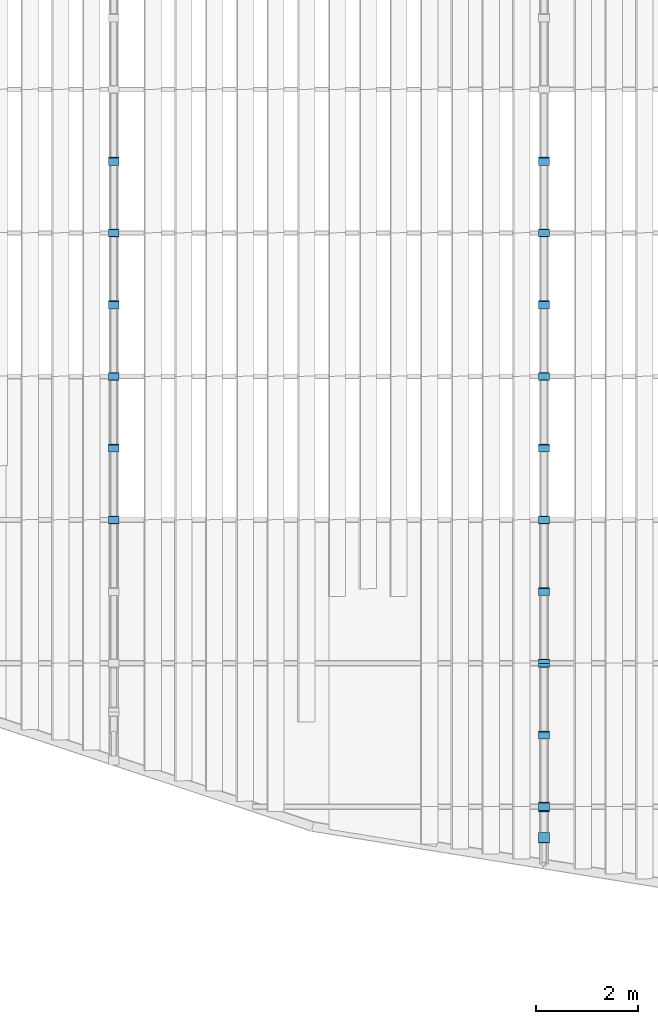
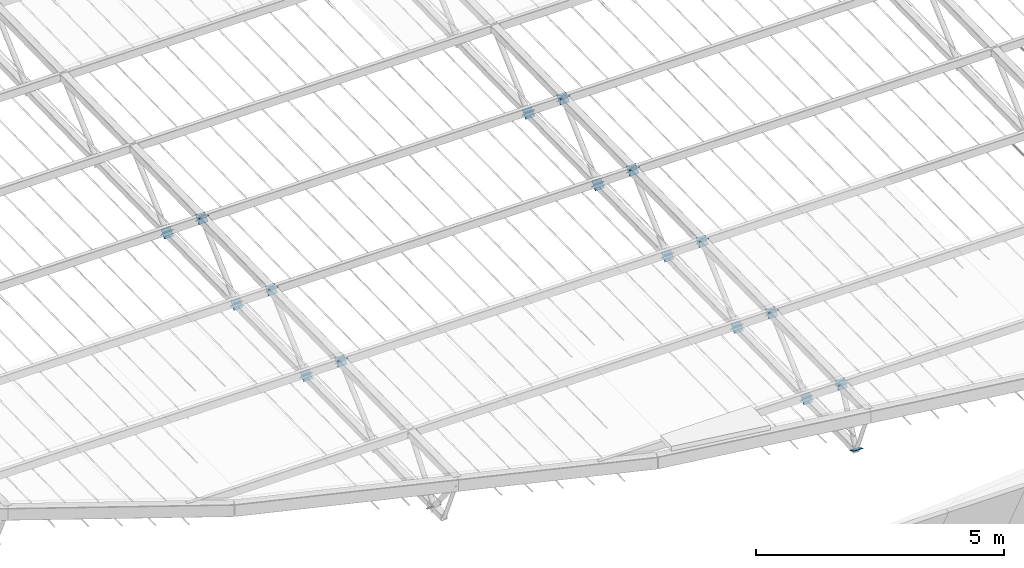
# One storey, part 101 of 129: 33 discrete accessories.
"""IFC4 building model written with IfcOpenShell, lengths in metres."""

import ifcopenshell
import ifcopenshell.guid

model = None  # the IFC model being written
_history = None  # IfcOwnerHistory: only IFC2X3 demands one
_inside = {}  # id of a spatial element -> (the spatial element, [elements in it])
_under = {}  # id of a project, library or spatial element -> (it, [spatial elements below it])
_declared = {}  # id of a project -> (the project, [libraries it declares])
_typed = {}  # id of a type object -> (the type object, [elements of that type])
_made_of = {}  # id of a material, layer set ... -> (it, [elements and type objects made of it])


def new_model(schema):
    """Start an empty IFC model of exactly this schema.

    Asked for "IFC4X3", IfcOpenShell would pick the latest addendum, in which some entities
    have other attributes; the version numbers below select the first issue.
    IFC2X3 requires an IfcOwnerHistory on every rooted entity: one is made here for all.
    """
    global model, _history
    if schema == "IFC4X3":
        model = ifcopenshell.file(schema_version=(4, 3, 0, 0))
    else:
        model = ifcopenshell.file(schema=schema)
    _inside.clear()
    _under.clear()
    _declared.clear()
    _typed.clear()
    _made_of.clear()
    _history = None
    if model.schema == "IFC2X3":
        org = make("IfcOrganization", Name="unknown")
        user = make(
            "IfcPersonAndOrganization",
            ThePerson=make("IfcPerson", FamilyName="unknown"),
            TheOrganization=org,
        )
        app = make(
            "IfcApplication",
            ApplicationDeveloper=org,
            Version="unknown",
            ApplicationFullName="unknown",
            ApplicationIdentifier="unknown",
        )
        _history = make(
            "IfcOwnerHistory",
            OwningUser=user,
            OwningApplication=app,
            ChangeAction="ADDED",
            CreationDate=0,
        )
    return model


def make(cls, **values):
    """One entity of the class cls with the attributes given. An attribute that is None is left unset."""
    return model.create_entity(
        cls, **{name: value for name, value in values.items() if value is not None}
    )


def rooted(cls, **values):
    """An entity with a GlobalId (a new one), such as an element, a storey or a relation."""
    return make(cls, GlobalId=ifcopenshell.guid.new(), OwnerHistory=_history, **values)


def si_unit(unit_type, name, prefix=None):
    """IfcSIUnit, for example si_unit("LENGTHUNIT", "METRE", prefix="MILLI")."""
    return make("IfcSIUnit", UnitType=unit_type, Prefix=prefix, Name=name)


def assignment(units):
    """IfcUnitAssignment: the units of a project."""
    return None if units is None else make("IfcUnitAssignment", Units=units)


def point(xyz):
    """IfcCartesianPoint."""
    return None if xyz is None else make("IfcCartesianPoint", Coordinates=xyz)


def direction(xyz):
    """IfcDirection."""
    return None if xyz is None else make("IfcDirection", DirectionRatios=xyz)


def frame(location, z_axis=None, x_axis=None):
    """IfcAxis2Placement3D, a coordinate frame: its origin and axes. An axis left out is left unset."""
    return make(
        "IfcAxis2Placement3D",
        Location=point(location),
        Axis=direction(z_axis),
        RefDirection=direction(x_axis),
    )


def frame_2d(location, x_axis=None):
    """IfcAxis2Placement2D, a coordinate frame in the plane: its origin and x axis."""
    return make(
        "IfcAxis2Placement2D", Location=point(location), RefDirection=direction(x_axis)
    )


def origin():
    """The frame at (0, 0, 0) with its axes left unset."""
    return frame((0.0, 0.0, 0.0))


def origin_2d():
    """The frame at (0, 0) in the plane with its x axis left unset."""
    return frame_2d((0.0, 0.0))


def place(relative_to, where):
    """IfcLocalPlacement: puts the frame where relative to a parent placement (None: the world)."""
    return make(
        "IfcLocalPlacement", PlacementRelTo=relative_to, RelativePlacement=where
    )


def context(
    kind, dimensions, precision=None, world=None, true_north=None, identifier=None
):
    """IfcGeometricRepresentationContext, for example the 3D "Model" context."""
    return make(
        "IfcGeometricRepresentationContext",
        ContextIdentifier=identifier,
        ContextType=kind,
        CoordinateSpaceDimension=dimensions,
        Precision=precision,
        WorldCoordinateSystem=world,
        TrueNorth=true_north,
    )


def subcontext(parent, identifier, kind, view, scale=None):
    """IfcGeometricRepresentationSubContext, for example "Body" below "Model"."""
    return make(
        "IfcGeometricRepresentationSubContext",
        ContextIdentifier=identifier,
        ContextType=kind,
        ParentContext=parent,
        TargetScale=scale,
        TargetView=view,
    )


def project(units=None, contexts=None):
    """IfcProject with its units and contexts."""
    return rooted(
        "IfcProject",
        Name="project",
        RepresentationContexts=contexts,
        UnitsInContext=assignment(units),
    )


def spatial(cls, under=None, at=None, **own):
    """A site, building, storey or space (cls), placed at a placement, below another one or the project."""
    s = rooted(cls, ObjectPlacement=at, **own)
    if under is not None:
        _under.setdefault(under.id(), (under, []))[1].append(s)
    return s


def profile(cls, at=None, kind="AREA", **sizes):
    """A parametric profile (cls). Its sizes go by their IFC names, for example OverallWidth=200.0."""
    return make(cls, ProfileType=kind, Position=at, **sizes)


def rectangle(**sizes):
    """IfcRectangleProfileDef."""
    return profile("IfcRectangleProfileDef", **sizes)


def extrude(swept, where, along, depth):
    """IfcExtrudedAreaSolid: the profile swept, set in the frame where, extruded along a direction by depth."""
    return make(
        "IfcExtrudedAreaSolid",
        SweptArea=swept,
        Position=where,
        ExtrudedDirection=direction(along),
        Depth=depth,
    )


def shape(context_of_items, identifier, shape_type, items):
    """IfcShapeRepresentation: the items that make up one representation, for example the "Body"."""
    return make(
        "IfcShapeRepresentation",
        ContextOfItems=context_of_items,
        RepresentationIdentifier=identifier,
        RepresentationType=shape_type,
        Items=items,
    )


def material(Name=None, Category=None):
    """IfcMaterial."""
    return make("IfcMaterial", Name=Name, Category=Category)


def material_profile(
    of_material, cross_section, Name=None, Category=None, Priority=None
):
    """IfcMaterialProfile: a cross section and its material."""
    return make(
        "IfcMaterialProfile",
        Name=Name,
        Material=of_material,
        Profile=cross_section,
        Priority=Priority,
        Category=Category,
    )


def profile_set(profiles, Name=None, composite=None):
    """IfcMaterialProfileSet."""
    return make(
        "IfcMaterialProfileSet",
        Name=Name,
        MaterialProfiles=profiles,
        CompositeProfile=composite,
    )


def made_of(thing, what):
    """Note that an element or type object is made of a material, layer set ...; save() writes the relation."""
    if what is not None:
        _made_of.setdefault(what.id(), (what, []))[1].append(thing)
    return thing


def type_object(cls, material=None, **own):
    """A type object (cls), such as IfcWallType, which elements share."""
    return made_of(rooted(cls, **own), material)


def element(
    cls,
    number,
    at=None,
    inside=None,
    cuts=None,
    type_object=None,
    material=None,
    context=None,
    identifier="Body",
    shape_type=None,
    held_by="IfcProductDefinitionShape",
    body=None,
    shapes=None,
    **own,
):
    """One element of the class cls, such as IfcWall. Its Tag is "e" and its number.

    at: its placement. inside: the storey or other place that contains it. cuts: it is an
    opening in that element (IfcRelVoidsElement). A single representation is given by context,
    identifier, shape_type and body (its items); several are given by shapes. held_by: the class
    of the entity that holds the representations. save() writes the other relations.
    """
    e = rooted(cls, Tag="e%d" % number, ObjectPlacement=at, **own)
    if body is not None:
        shapes = [shape(context, identifier, shape_type, body)]
    if shapes is not None:
        e.Representation = make(held_by, Representations=shapes)
    if inside is not None:
        _inside.setdefault(inside.id(), (inside, []))[1].append(e)
    if cuts is not None:
        rooted(
            "IfcRelVoidsElement", RelatingBuildingElement=cuts, RelatedOpeningElement=e
        )
    if type_object is not None:
        _typed.setdefault(type_object.id(), (type_object, []))[1].append(e)
    return made_of(e, material)


def aggregate(whole, parts):
    """IfcRelAggregates: a whole, such as a stair, and the parts it consists of."""
    return rooted("IfcRelAggregates", RelatingObject=whole, RelatedObjects=parts)


def save(model, path):
    """Write the relations noted so far, then the file.

    IfcRelAggregates (storeys below a building ...), IfcRelContainedInSpatialStructure (elements
    in a storey), IfcRelDefinesByType, IfcRelAssociatesMaterial and IfcRelDeclares: one each for
    every whole, place, type object, material and project.
    """
    for whole, parts in _under.values():
        aggregate(whole, parts)
    for where, things in _inside.values():
        rooted(
            "IfcRelContainedInSpatialStructure",
            RelatedElements=things,
            RelatingStructure=where,
        )
    for kind, things in _typed.values():
        rooted("IfcRelDefinesByType", RelatedObjects=things, RelatingType=kind)
    for what, things in _made_of.values():
        rooted("IfcRelAssociatesMaterial", RelatedObjects=things, RelatingMaterial=what)
    for by, libraries in _declared.values():
        rooted("IfcRelDeclares", RelatingContext=by, RelatedDefinitions=libraries)
    model.write(path)


model = new_model("IFC4")

# Units and contexts
model_context = context("Model", 3, precision=1e-05, world=origin(), true_north=direction((0.0, 1.0)))
body_context = subcontext(model_context, "Body", "Model", "MODEL_VIEW")
ifc_project = project(units=[si_unit("LENGTHUNIT", "METRE"), si_unit("AREAUNIT", "SQUARE_METRE"), si_unit("VOLUMEUNIT", "CUBIC_METRE"), si_unit("PLANEANGLEUNIT", "RADIAN"), si_unit("MASSUNIT", "GRAM", prefix="KILO")], contexts=[model_context])

# Site, building, storey
site_placement = place(None, origin())
site = spatial("IfcSite", under=ifc_project, at=site_placement, CompositionType="ELEMENT")
building_placement = place(site_placement, origin())
building = spatial("IfcBuilding", under=site, at=building_placement, Name="Ardhachandra Cancer Care Centre", CompositionType="ELEMENT")
storey_placement = place(building_placement, frame((0.0, 0.0, 4.5)))
storey = spatial("IfcBuildingStorey", under=building, at=storey_placement, Name="L01", CompositionType="ELEMENT", Elevation=4.5)

# Discrete accessories
ifc_material = material(Name="Steel E250 (IS 2062)", Category="steel")
ifc_material_profile = material_profile(ifc_material, rectangle(XDim=0.21435546875, YDim=0.21435546875, at=origin_2d()), Name="PL 214x214x12")
ifc_profile_set = profile_set([ifc_material_profile], Name="Steel E250 (IS 2062)")
discrete_accessory_type = type_object("IfcDiscreteAccessoryType", Name="Diagonal end plate 214 x 214 x 12", PredefinedType="BRACKET", material=ifc_profile_set)
discrete_accessory_1_placement = place(storey_placement, frame((61.199951171875, 38.77490234375, 1.310546875), z_axis=(0.0, 0.746295434469, 0.665614846958), x_axis=(-1.0, 0.0, 0.0)))
element("IfcDiscreteAccessory", 1, at=discrete_accessory_1_placement, inside=storey, type_object=discrete_accessory_type, Name="Diagonal end plate Canopy truss 3 web diagonal WD32 2", PredefinedType="BRACKET", context=body_context, shape_type="SweptSolid", body=[
    extrude(rectangle(XDim=0.21435546875, YDim=0.21435546875, at=origin_2d()), origin(), (0.0, 0.0, 1.0), 0.01220703125),
])
for number, where, z_axis, x_axis, name in (
    (2, (61.199951171875, 38.77490234375, 1.310546875), (0.0, -0.756363172452, 0.654151932932), (1.0, 0.0, 0.0), "Diagonal end plate Canopy truss 3 web diagonal WD33 1"),
    (3, (61.199951171875, 37.375, 2.517578125), (0.0, 0.756363172452, -0.654151932932), (-1.0, 0.0, 0.0), "Diagonal end plate Canopy truss 3 web diagonal WD33 2"),
    (4, (61.199951171875, 37.375, 2.517578125), (0.0, -0.737154140201, -0.675724628517), (1.0, 0.0, 0.0), "Diagonal end plate Canopy truss 3 web diagonal WD34 1"),
    (5, (61.199951171875, 35.97509765625, 1.25439453125), (0.0, 0.737154140201, 0.675724628517), (-1.0, 0.0, 0.0), "Diagonal end plate Canopy truss 3 web diagonal WD34 2"),
):
    element("IfcDiscreteAccessory", number, at=place(storey_placement, frame(where, z_axis=z_axis, x_axis=x_axis)), inside=storey, type_object=discrete_accessory_type, Name=name, PredefinedType="BRACKET", context=body_context, shape_type="SweptSolid", body=[
        extrude(rectangle(XDim=0.21435546875, YDim=0.21435546875, at=origin_2d()), origin(), (0.0, 0.0, 1.0), 0.011962890625),
    ])
discrete_accessory_2_placement = place(storey_placement, frame((61.199951171875, 35.97509765625, 1.25439453125), z_axis=(0.0, -0.755033118393, 0.655686655446), x_axis=(1.0, 0.0, 0.0)))
element("IfcDiscreteAccessory", 6, at=discrete_accessory_2_placement, inside=storey, type_object=discrete_accessory_type, Name="Diagonal end plate Canopy truss 3 web diagonal WD35 1", PredefinedType="BRACKET", context=body_context, shape_type="SweptSolid", body=[
    extrude(rectangle(XDim=0.21435546875, YDim=0.21435546875, at=origin_2d()), origin(), (0.0, 0.0, 1.0), 0.01220703125),
])
for number, where, z_axis, x_axis, name in (
    (7, (61.199951171875, 34.574951171875, 2.46142578125), (0.0, 0.756363172452, -0.654151932932), (-1.0, 0.0, 0.0), "Diagonal end plate Canopy truss 3 web diagonal WD35 2"),
    (8, (61.199951171875, 34.574951171875, 2.46142578125), (0.0, -0.737154140201, -0.675724628517), (1.0, 0.0, 0.0), "Diagonal end plate Canopy truss 3 web diagonal WD36 1"),
    (9, (61.199951171875, 33.175048828125, 1.198486328125), (0.0, 0.737154140201, 0.675724628517), (-1.0, 0.0, 0.0), "Diagonal end plate Canopy truss 3 web diagonal WD36 2"),
    (10, (61.199951171875, 33.175048828125, 1.198486328125), (0.0, -0.756363172452, 0.654151932932), (1.0, 0.0, 0.0), "Diagonal end plate Canopy truss 3 web diagonal WD37 1"),
):
    element("IfcDiscreteAccessory", number, at=place(storey_placement, frame(where, z_axis=z_axis, x_axis=x_axis)), inside=storey, type_object=discrete_accessory_type, Name=name, PredefinedType="BRACKET", context=body_context, shape_type="SweptSolid", body=[
        extrude(rectangle(XDim=0.21435546875, YDim=0.21435546875, at=origin_2d()), origin(), (0.0, 0.0, 1.0), 0.011962890625),
    ])
discrete_accessory_3_placement = place(storey_placement, frame((61.199951171875, 31.77490234375, 2.405517578125), z_axis=(0.0, 0.764911198117, -0.644135745783), x_axis=(-1.0, 0.0, 0.0)))
element("IfcDiscreteAccessory", 11, at=discrete_accessory_3_placement, inside=storey, type_object=discrete_accessory_type, Name="Diagonal end plate Canopy truss 3 web diagonal WD37 2", PredefinedType="BRACKET", context=body_context, shape_type="SweptSolid", body=[
    extrude(rectangle(XDim=0.21435546875, YDim=0.21435546875, at=origin_2d()), origin(), (0.0, 0.0, 1.0), 0.01220703125),
])
discrete_accessory_4_placement = place(storey_placement, frame((61.199951171875, 31.77490234375, 2.405517578125), z_axis=(0.0, -0.737154140201, -0.675724628517), x_axis=(1.0, 0.0, 0.0)))
element("IfcDiscreteAccessory", 12, at=discrete_accessory_4_placement, inside=storey, type_object=discrete_accessory_type, Name="Diagonal end plate Canopy truss 3 web diagonal WD38 1", PredefinedType="BRACKET", context=body_context, shape_type="SweptSolid", body=[
    extrude(rectangle(XDim=0.21435546875, YDim=0.21435546875, at=origin_2d()), origin(), (0.0, 0.0, 1.0), 0.011962890625),
])
discrete_accessory_5_placement = place(storey_placement, frame((69.60009765625, 38.77490234375, 1.310546875), z_axis=(0.0, 0.746295434469, 0.665614846958), x_axis=(-1.0, 0.0, 0.0)))
element("IfcDiscreteAccessory", 13, at=discrete_accessory_5_placement, inside=storey, type_object=discrete_accessory_type, Name="Diagonal end plate Canopy truss 4 web diagonal WD33 2", PredefinedType="BRACKET", context=body_context, shape_type="SweptSolid", body=[
    extrude(rectangle(XDim=0.21435546875, YDim=0.21435546875, at=origin_2d()), origin(), (0.0, 0.0, 1.0), 0.01220703125),
])
for number, where, z_axis, x_axis, name in (
    (14, (69.60009765625, 38.77490234375, 1.310546875), (0.0, -0.756363172452, 0.654151932932), (1.0, 0.0, 0.0), "Diagonal end plate Canopy truss 4 web diagonal WD34 1"),
    (15, (69.60009765625, 37.375, 2.517578125), (0.0, 0.756363172452, -0.654151932932), (-1.0, 0.0, 0.0), "Diagonal end plate Canopy truss 4 web diagonal WD34 2"),
    (16, (69.60009765625, 37.375, 2.517578125), (0.0, -0.737154140201, -0.675724628517), (1.0, 0.0, 0.0), "Diagonal end plate Canopy truss 4 web diagonal WD35 1"),
    (17, (69.60009765625, 35.97509765625, 1.25439453125), (0.0, 0.737154140201, 0.675724628517), (-1.0, 0.0, 0.0), "Diagonal end plate Canopy truss 4 web diagonal WD35 2"),
):
    element("IfcDiscreteAccessory", number, at=place(storey_placement, frame(where, z_axis=z_axis, x_axis=x_axis)), inside=storey, type_object=discrete_accessory_type, Name=name, PredefinedType="BRACKET", context=body_context, shape_type="SweptSolid", body=[
        extrude(rectangle(XDim=0.21435546875, YDim=0.21435546875, at=origin_2d()), origin(), (0.0, 0.0, 1.0), 0.011962890625),
    ])
discrete_accessory_6_placement = place(storey_placement, frame((69.60009765625, 35.97509765625, 1.25439453125), z_axis=(0.0, -0.755033118393, 0.655686655446), x_axis=(1.0, 0.0, 0.0)))
element("IfcDiscreteAccessory", 18, at=discrete_accessory_6_placement, inside=storey, type_object=discrete_accessory_type, Name="Diagonal end plate Canopy truss 4 web diagonal WD36 1", PredefinedType="BRACKET", context=body_context, shape_type="SweptSolid", body=[
    extrude(rectangle(XDim=0.21435546875, YDim=0.21435546875, at=origin_2d()), origin(), (0.0, 0.0, 1.0), 0.01220703125),
])
for number, where, z_axis, x_axis, name in (
    (19, (69.60009765625, 34.574951171875, 2.46142578125), (0.0, 0.756363172452, -0.654151932932), (-1.0, 0.0, 0.0), "Diagonal end plate Canopy truss 4 web diagonal WD36 2"),
    (20, (69.60009765625, 34.574951171875, 2.46142578125), (0.0, -0.737154140201, -0.675724628517), (1.0, 0.0, 0.0), "Diagonal end plate Canopy truss 4 web diagonal WD37 1"),
    (21, (69.60009765625, 33.175048828125, 1.198486328125), (0.0, 0.737154140201, 0.675724628517), (-1.0, 0.0, 0.0), "Diagonal end plate Canopy truss 4 web diagonal WD37 2"),
    (22, (69.60009765625, 33.175048828125, 1.198486328125), (0.0, -0.756363172452, 0.654151932932), (1.0, 0.0, 0.0), "Diagonal end plate Canopy truss 4 web diagonal WD38 1"),
):
    element("IfcDiscreteAccessory", number, at=place(storey_placement, frame(where, z_axis=z_axis, x_axis=x_axis)), inside=storey, type_object=discrete_accessory_type, Name=name, PredefinedType="BRACKET", context=body_context, shape_type="SweptSolid", body=[
        extrude(rectangle(XDim=0.21435546875, YDim=0.21435546875, at=origin_2d()), origin(), (0.0, 0.0, 1.0), 0.011962890625),
    ])
discrete_accessory_7_placement = place(storey_placement, frame((69.60009765625, 31.77490234375, 2.405517578125), z_axis=(0.0, 0.764911198117, -0.644135745783), x_axis=(-1.0, 0.0, 0.0)))
element("IfcDiscreteAccessory", 23, at=discrete_accessory_7_placement, inside=storey, type_object=discrete_accessory_type, Name="Diagonal end plate Canopy truss 4 web diagonal WD38 2", PredefinedType="BRACKET", context=body_context, shape_type="SweptSolid", body=[
    extrude(rectangle(XDim=0.21435546875, YDim=0.21435546875, at=origin_2d()), origin(), (0.0, 0.0, 1.0), 0.01220703125),
])
for number, where, z_axis, x_axis, name in (
    (24, (69.60009765625, 31.77490234375, 2.405517578125), (0.0, -0.737154140201, -0.675724628517), (1.0, 0.0, 0.0), "Diagonal end plate Canopy truss 4 web diagonal WD39 1"),
    (25, (69.60009765625, 30.375, 1.142578125), (0.0, 0.737154140201, 0.675724628517), (-1.0, 0.0, 0.0), "Diagonal end plate Canopy truss 4 web diagonal WD39 2"),
    (26, (69.60009765625, 30.375, 1.142578125), (0.0, -0.756363172452, 0.654151932932), (1.0, 0.0, 0.0), "Diagonal end plate Canopy truss 4 web diagonal WD40 1"),
):
    element("IfcDiscreteAccessory", number, at=place(storey_placement, frame(where, z_axis=z_axis, x_axis=x_axis)), inside=storey, type_object=discrete_accessory_type, Name=name, PredefinedType="BRACKET", context=body_context, shape_type="SweptSolid", body=[
        extrude(rectangle(XDim=0.21435546875, YDim=0.21435546875, at=origin_2d()), origin(), (0.0, 0.0, 1.0), 0.011962890625),
    ])
for number, where, z_axis, x_axis, name in (
    (27, (69.60009765625, 28.97509765625, 2.349609375), (0.0, 0.746295434469, -0.665614846958), (-1.0, 0.0, 0.0), "Diagonal end plate Canopy truss 4 web diagonal WD40 2"),
    (28, (69.60009765625, 28.97509765625, 2.349609375), (0.0, -0.746295434469, -0.665614846958), (1.0, 0.0, 0.0), "Diagonal end plate Canopy truss 4 web diagonal WD41 1"),
    (29, (69.60009765625, 27.574951171875, 1.08642578125), (0.0, 0.746295434469, 0.665614846958), (-1.0, 0.0, 0.0), "Diagonal end plate Canopy truss 4 web diagonal WD41 2"),
):
    element("IfcDiscreteAccessory", number, at=place(storey_placement, frame(where, z_axis=z_axis, x_axis=x_axis)), inside=storey, type_object=discrete_accessory_type, Name=name, PredefinedType="BRACKET", context=body_context, shape_type="SweptSolid", body=[
        extrude(rectangle(XDim=0.21435546875, YDim=0.21435546875, at=origin_2d()), origin(), (0.0, 0.0, 1.0), 0.01220703125),
    ])
for number, where, z_axis, x_axis, name in (
    (30, (69.60009765625, 27.574951171875, 1.08642578125), (0.0, -0.756363172452, 0.654151932932), (1.0, 0.0, 0.0), "Diagonal end plate Canopy truss 4 web diagonal WD42 1"),
    (31, (69.60009765625, 26.175048828125, 2.29345703125), (0.0, 0.756363172452, -0.654151932932), (-1.0, 0.0, 0.0), "Diagonal end plate Canopy truss 4 web diagonal WD42 2"),
    (32, (69.60009765625, 26.175048828125, 2.29345703125), (0.0, -0.4472135955, -0.894427191), (1.0, 0.0, 0.0), "Diagonal end plate Canopy truss 4 web diagonal WD43 1"),
    (33, (69.60009765625, 25.566162109375, 1.04638671875), (0.0, 0.430729586215, 0.902481037784), (-1.0, 0.0, 0.0), "Diagonal end plate Canopy truss 4 web diagonal WD43 2"),
):
    element("IfcDiscreteAccessory", number, at=place(storey_placement, frame(where, z_axis=z_axis, x_axis=x_axis)), inside=storey, type_object=discrete_accessory_type, Name=name, PredefinedType="BRACKET", context=body_context, shape_type="SweptSolid", body=[
        extrude(rectangle(XDim=0.21435546875, YDim=0.21435546875, at=origin_2d()), origin(), (0.0, 0.0, 1.0), 0.011962890625),
    ])

save(model, "model.ifc")
